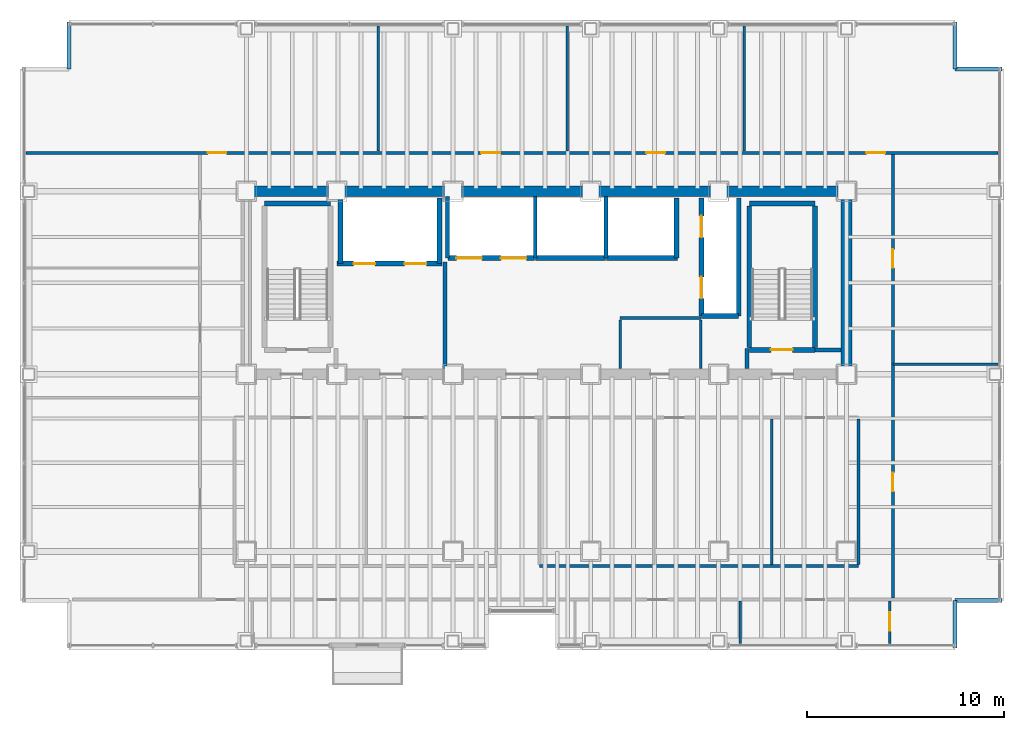
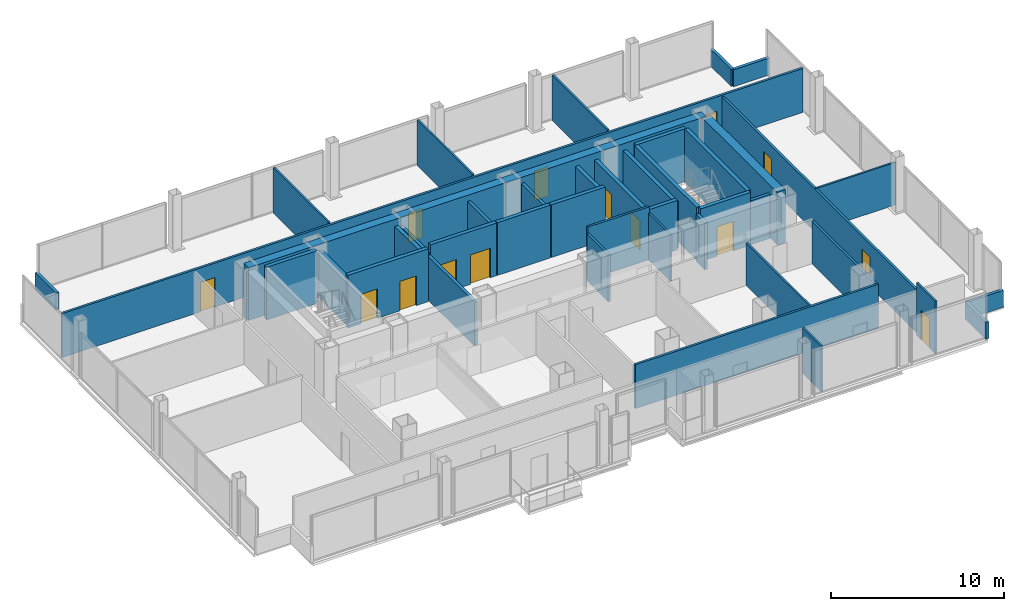
# One storey, part 19 of 21: 42 walls, 14 doors, 14 openings.
"""IFC4 building model written with IfcOpenShell, lengths in metres."""

import ifcopenshell
import ifcopenshell.guid

model = None  # the IFC model being written
_history = None  # IfcOwnerHistory: only IFC2X3 demands one
_inside = {}  # id of a spatial element -> (the spatial element, [elements in it])
_under = {}  # id of a project, library or spatial element -> (it, [spatial elements below it])
_declared = {}  # id of a project -> (the project, [libraries it declares])
_typed = {}  # id of a type object -> (the type object, [elements of that type])
_made_of = {}  # id of a material, layer set ... -> (it, [elements and type objects made of it])


def new_model(schema):
    """Start an empty IFC model of exactly this schema.

    Asked for "IFC4X3", IfcOpenShell would pick the latest addendum, in which some entities
    have other attributes; the version numbers below select the first issue.
    IFC2X3 requires an IfcOwnerHistory on every rooted entity: one is made here for all.
    """
    global model, _history
    if schema == "IFC4X3":
        model = ifcopenshell.file(schema_version=(4, 3, 0, 0))
    else:
        model = ifcopenshell.file(schema=schema)
    _inside.clear()
    _under.clear()
    _declared.clear()
    _typed.clear()
    _made_of.clear()
    _history = None
    if model.schema == "IFC2X3":
        org = make("IfcOrganization", Name="unknown")
        user = make(
            "IfcPersonAndOrganization",
            ThePerson=make("IfcPerson", FamilyName="unknown"),
            TheOrganization=org,
        )
        app = make(
            "IfcApplication",
            ApplicationDeveloper=org,
            Version="unknown",
            ApplicationFullName="unknown",
            ApplicationIdentifier="unknown",
        )
        _history = make(
            "IfcOwnerHistory",
            OwningUser=user,
            OwningApplication=app,
            ChangeAction="ADDED",
            CreationDate=0,
        )
    return model


def make(cls, **values):
    """One entity of the class cls with the attributes given. An attribute that is None is left unset."""
    return model.create_entity(
        cls, **{name: value for name, value in values.items() if value is not None}
    )


def rooted(cls, **values):
    """An entity with a GlobalId (a new one), such as an element, a storey or a relation."""
    return make(cls, GlobalId=ifcopenshell.guid.new(), OwnerHistory=_history, **values)


def si_unit(unit_type, name, prefix=None):
    """IfcSIUnit, for example si_unit("LENGTHUNIT", "METRE", prefix="MILLI")."""
    return make("IfcSIUnit", UnitType=unit_type, Prefix=prefix, Name=name)


def assignment(units):
    """IfcUnitAssignment: the units of a project."""
    return None if units is None else make("IfcUnitAssignment", Units=units)


def point(xyz):
    """IfcCartesianPoint."""
    return None if xyz is None else make("IfcCartesianPoint", Coordinates=xyz)


def direction(xyz):
    """IfcDirection."""
    return None if xyz is None else make("IfcDirection", DirectionRatios=xyz)


def frame(location, z_axis=None, x_axis=None):
    """IfcAxis2Placement3D, a coordinate frame: its origin and axes. An axis left out is left unset."""
    return make(
        "IfcAxis2Placement3D",
        Location=point(location),
        Axis=direction(z_axis),
        RefDirection=direction(x_axis),
    )


def frame_2d(location, x_axis=None):
    """IfcAxis2Placement2D, a coordinate frame in the plane: its origin and x axis."""
    return make(
        "IfcAxis2Placement2D", Location=point(location), RefDirection=direction(x_axis)
    )


def origin():
    """The frame at (0, 0, 0) with its axes left unset."""
    return frame((0.0, 0.0, 0.0))


def place(relative_to, where):
    """IfcLocalPlacement: puts the frame where relative to a parent placement (None: the world)."""
    return make(
        "IfcLocalPlacement", PlacementRelTo=relative_to, RelativePlacement=where
    )


def context(
    kind, dimensions, precision=None, world=None, true_north=None, identifier=None
):
    """IfcGeometricRepresentationContext, for example the 3D "Model" context."""
    return make(
        "IfcGeometricRepresentationContext",
        ContextIdentifier=identifier,
        ContextType=kind,
        CoordinateSpaceDimension=dimensions,
        Precision=precision,
        WorldCoordinateSystem=world,
        TrueNorth=true_north,
    )


def subcontext(parent, identifier, kind, view, scale=None):
    """IfcGeometricRepresentationSubContext, for example "Body" below "Model"."""
    return make(
        "IfcGeometricRepresentationSubContext",
        ContextIdentifier=identifier,
        ContextType=kind,
        ParentContext=parent,
        TargetScale=scale,
        TargetView=view,
    )


def project(units=None, contexts=None):
    """IfcProject with its units and contexts."""
    return rooted(
        "IfcProject",
        Name="project",
        RepresentationContexts=contexts,
        UnitsInContext=assignment(units),
    )


def spatial(cls, under=None, at=None, **own):
    """A site, building, storey or space (cls), placed at a placement, below another one or the project."""
    s = rooted(cls, ObjectPlacement=at, **own)
    if under is not None:
        _under.setdefault(under.id(), (under, []))[1].append(s)
    return s


def profile(cls, at=None, kind="AREA", **sizes):
    """A parametric profile (cls). Its sizes go by their IFC names, for example OverallWidth=200.0."""
    return make(cls, ProfileType=kind, Position=at, **sizes)


def rectangle(**sizes):
    """IfcRectangleProfileDef."""
    return profile("IfcRectangleProfileDef", **sizes)


def extrude(swept, where, along, depth):
    """IfcExtrudedAreaSolid: the profile swept, set in the frame where, extruded along a direction by depth."""
    return make(
        "IfcExtrudedAreaSolid",
        SweptArea=swept,
        Position=where,
        ExtrudedDirection=direction(along),
        Depth=depth,
    )


def shape(context_of_items, identifier, shape_type, items):
    """IfcShapeRepresentation: the items that make up one representation, for example the "Body"."""
    return make(
        "IfcShapeRepresentation",
        ContextOfItems=context_of_items,
        RepresentationIdentifier=identifier,
        RepresentationType=shape_type,
        Items=items,
    )


def material(Name=None, Category=None):
    """IfcMaterial."""
    return make("IfcMaterial", Name=Name, Category=Category)


def layer(
    of_material, thickness, ventilated=None, Name=None, Category=None, Priority=None
):
    """IfcMaterialLayer: one layer of a wall or slab, of a material (None: an air gap)."""
    return make(
        "IfcMaterialLayer",
        Material=of_material,
        LayerThickness=thickness,
        IsVentilated=ventilated,
        Name=Name,
        Category=Category,
        Priority=Priority,
    )


def layer_set(layers, Name=None):
    """IfcMaterialLayerSet."""
    return make("IfcMaterialLayerSet", MaterialLayers=layers, LayerSetName=Name)


def made_of(thing, what):
    """Note that an element or type object is made of a material, layer set ...; save() writes the relation."""
    if what is not None:
        _made_of.setdefault(what.id(), (what, []))[1].append(thing)
    return thing


def type_object(cls, material=None, **own):
    """A type object (cls), such as IfcWallType, which elements share."""
    return made_of(rooted(cls, **own), material)


def element(
    cls,
    number,
    at=None,
    inside=None,
    cuts=None,
    type_object=None,
    material=None,
    context=None,
    identifier="Body",
    shape_type=None,
    held_by="IfcProductDefinitionShape",
    body=None,
    shapes=None,
    **own,
):
    """One element of the class cls, such as IfcWall. Its Tag is "e" and its number.

    at: its placement. inside: the storey or other place that contains it. cuts: it is an
    opening in that element (IfcRelVoidsElement). A single representation is given by context,
    identifier, shape_type and body (its items); several are given by shapes. held_by: the class
    of the entity that holds the representations. save() writes the other relations.
    """
    e = rooted(cls, Tag="e%d" % number, ObjectPlacement=at, **own)
    if body is not None:
        shapes = [shape(context, identifier, shape_type, body)]
    if shapes is not None:
        e.Representation = make(held_by, Representations=shapes)
    if inside is not None:
        _inside.setdefault(inside.id(), (inside, []))[1].append(e)
    if cuts is not None:
        rooted(
            "IfcRelVoidsElement", RelatingBuildingElement=cuts, RelatedOpeningElement=e
        )
    if type_object is not None:
        _typed.setdefault(type_object.id(), (type_object, []))[1].append(e)
    return made_of(e, material)


def fill(opening, filler):
    """IfcRelFillsElement: the door or window that sits in an opening."""
    return rooted(
        "IfcRelFillsElement",
        RelatingOpeningElement=opening,
        RelatedBuildingElement=filler,
    )


def aggregate(whole, parts):
    """IfcRelAggregates: a whole, such as a stair, and the parts it consists of."""
    return rooted("IfcRelAggregates", RelatingObject=whole, RelatedObjects=parts)


def save(model, path):
    """Write the relations noted so far, then the file.

    IfcRelAggregates (storeys below a building ...), IfcRelContainedInSpatialStructure (elements
    in a storey), IfcRelDefinesByType, IfcRelAssociatesMaterial and IfcRelDeclares: one each for
    every whole, place, type object, material and project.
    """
    for whole, parts in _under.values():
        aggregate(whole, parts)
    for where, things in _inside.values():
        rooted(
            "IfcRelContainedInSpatialStructure",
            RelatedElements=things,
            RelatingStructure=where,
        )
    for kind, things in _typed.values():
        rooted("IfcRelDefinesByType", RelatedObjects=things, RelatingType=kind)
    for what, things in _made_of.values():
        rooted("IfcRelAssociatesMaterial", RelatedObjects=things, RelatingMaterial=what)
    for by, libraries in _declared.values():
        rooted("IfcRelDeclares", RelatingContext=by, RelatedDefinitions=libraries)
    model.write(path)


model = new_model("IFC4")

# Units and contexts
model_context = context("Model", 3, precision=1e-05, world=origin(), true_north=direction((0.0, 1.0)))
body_context = subcontext(model_context, "Body", "Model", "MODEL_VIEW")
ifc_project = project(units=[si_unit("LENGTHUNIT", "METRE"), si_unit("AREAUNIT", "SQUARE_METRE"), si_unit("VOLUMEUNIT", "CUBIC_METRE"), si_unit("PLANEANGLEUNIT", "RADIAN"), si_unit("MASSUNIT", "GRAM", prefix="KILO")], contexts=[model_context])

# Site, building, storey
site_placement = place(None, origin())
site = spatial("IfcSite", under=ifc_project, at=site_placement, CompositionType="ELEMENT")
building_placement = place(site_placement, origin())
building = spatial("IfcBuilding", under=site, at=building_placement, Name="Noeulbin Bourse Tower", CompositionType="ELEMENT")
storey_placement = place(building_placement, frame((0.0, 0.0, 42.10009765625)))
storey = spatial("IfcBuildingStorey", under=building, at=storey_placement, Name="L10", CompositionType="ELEMENT", Elevation=42.10009765625)

# Walls
ifc_material_1 = material(Name="Concrete C60/75", Category="concrete")
ifc_layer_1 = layer(ifc_material_1, 0.550048828125)
ifc_layer_set_1 = layer_set([ifc_layer_1], Name="Concrete C60/75")
wall_type_1 = type_object("IfcWallType", Name="WAL-CORE-550", PredefinedType="SHEAR", material=ifc_layer_set_1)
wall_1_placement = place(storey_placement, frame((13.5, 38.300048828125, 0.0), z_axis=(0.0, 0.0, 1.0), x_axis=(1.0, 0.0, 0.0)))
element("IfcWall", 1, at=wall_1_placement, inside=storey, type_object=wall_type_1, Name="Rear Core North Shear Wall L10", PredefinedType="SHEAR", context=body_context, shape_type="SweptSolid", body=[
    extrude(rectangle(XDim=30.5, YDim=0.550048828125, at=frame_2d((15.25, 0.0))), origin(), (0.0, 0.0, 1.0), 3.719970703125),
])
wall_2_placement = place(storey_placement, frame((44.0, 29.35009765625, 0.0), z_axis=(0.0, 0.0, 1.0), x_axis=(0.0, 1.0, 0.0)))
element("IfcWall", 2, at=wall_2_placement, inside=storey, type_object=wall_type_1, Name="Rear Core East Shear Wall L10", PredefinedType="SHEAR", context=body_context, shape_type="SweptSolid", body=[
    extrude(rectangle(XDim=8.599853515625, YDim=0.550048828125, at=frame_2d((4.2998046875, 0.0))), origin(), (0.0, 0.0, 1.0), 3.719970703125),
])
ifc_material_2 = material(Name="Concrete C40/50", Category="concrete")
ifc_layer_2 = layer(ifc_material_2, 0.199951171875)
ifc_layer_set_2 = layer_set([ifc_layer_2], Name="Concrete C40/50")
wall_type_2 = type_object("IfcWallType", Name="WAL-FIRE-200", PredefinedType="STANDARD", material=ifc_layer_set_2)
wall_3_placement = place(storey_placement, frame((42.39990234375, 30.239990234375, 0.0), z_axis=(0.0, 0.0, 1.0), x_axis=(1.0, 0.0, 0.0)))
element("IfcWall", 3, at=wall_3_placement, inside=storey, type_object=wall_type_2, Name="Interior Partition Wall L10-01", PredefinedType="STANDARD", context=body_context, shape_type="SweptSolid", body=[
    extrude(rectangle(XDim=1.315185546875, YDim=0.199951171875, at=frame_2d((0.65771484375, 0.0))), origin(), (0.0, 0.0, 1.0), 3.099853515625),
])
wall_4_placement = place(storey_placement, frame((38.949951171875, 29.284912109375, 0.0), z_axis=(0.0, 0.0, 1.0), x_axis=(0.0, 1.0, 0.0)))
element("IfcWall", 4, at=wall_4_placement, inside=storey, type_object=wall_type_2, Name="Interior Partition Wall L10-12", PredefinedType="STANDARD", context=body_context, shape_type="SweptSolid", body=[
    extrude(rectangle(XDim=1.01513671875, YDim=0.199951171875, at=frame_2d((0.507568359375, 0.0))), origin(), (0.0, 0.0, 1.0), 3.2998046875),
])
wall_5_placement = place(storey_placement, frame((23.60009765625, 29.284912109375, 0.0), z_axis=(0.0, 0.0, 1.0), x_axis=(0.0, 1.0, 0.0)))
element("IfcWall", 5, at=wall_5_placement, inside=storey, type_object=wall_type_2, Name="Interior Partition Wall L10-13", PredefinedType="STANDARD", context=body_context, shape_type="SweptSolid", body=[
    extrude(rectangle(XDim=5.4150390625, YDim=0.199951171875, at=frame_2d((2.70751953125, 0.0))), origin(), (0.0, 0.0, 1.0), 3.099853515625),
])
ifc_layer_3 = layer(ifc_material_2, 0.199951171875)
ifc_layer_set_3 = layer_set([ifc_layer_3], Name="Concrete C40/50")
wall_type_3 = type_object("IfcWallType", Name="WAL-PAR-200", PredefinedType="PARAPET", material=ifc_layer_set_3)
for number, where, z_axis, x_axis, name in (
    (6, (49.5, 15.10009765625, 0.0), (0.0, 0.0, 1.0), (0.0, 1.0, 0.0), "Corner Notch Parapet L10-SE1"),
    (7, (49.5, 17.5, 0.0), (0.0, 0.0, 1.0), (1.0, 0.0, 0.0), "Corner Notch Parapet L10-SE2"),
    (8, (4.5, 44.5, 0.0), (0.0, 0.0, 1.0), (0.0, 1.0, 0.0), "Corner Notch Parapet L10-NW2"),
    (9, (49.5, 46.89990234375, 0.0), (0.0, 0.0, 1.0), (0.0, -1.0, 0.0), "Corner Notch Parapet L10-NE1"),
    (10, (49.5, 44.5, 0.0), (0.0, 0.0, 1.0), (1.0, 0.0, 0.0), "Corner Notch Parapet L10-NE2"),
):
    element("IfcWall", number, at=place(storey_placement, frame(where, z_axis=z_axis, x_axis=x_axis)), inside=storey, type_object=wall_type_3, Name=name, PredefinedType="PARAPET", context=body_context, shape_type="SweptSolid", body=[
        extrude(rectangle(XDim=2.39990234375, YDim=0.199951171875, at=frame_2d((1.199951171875, 0.0))), origin(), (0.0, 0.0, 1.0), 1.199951171875),
    ])
ifc_material_3 = material(Name="Steel Stud Gypsum Partition", Category="steel")
ifc_layer_4 = layer(ifc_material_3, 0.1201171875)
ifc_layer_set_4 = layer_set([ifc_layer_4], Name="Steel Stud Gypsum Partition")
wall_type_4 = type_object("IfcWallType", Name="WAL-PRT-120", PredefinedType="PARTITIONING", material=ifc_layer_set_4)
wall_6_placement = place(storey_placement, frame((46.35009765625, 29.5, 0.0), z_axis=(0.0, 0.0, 1.0), x_axis=(1.0, 0.0, 0.0)))
element("IfcWall", 11, at=wall_6_placement, inside=storey, type_object=wall_type_4, Name="Interior Partition Wall L10-09", PredefinedType="PARTITIONING", context=body_context, shape_type="SweptSolid", body=[
    extrude(rectangle(XDim=5.33984375, YDim=0.1201171875, at=frame_2d((2.669921875, 0.0))), origin(), (0.0, 0.0, 1.0), 3.0),
])
wall_7_placement = place(storey_placement, frame((36.60009765625, 29.284912109375, 0.0), z_axis=(0.0, 0.0, 1.0), x_axis=(0.0, 1.0, 0.0)))
element("IfcWall", 12, at=wall_7_placement, inside=storey, type_object=wall_type_4, Name="Interior Partition Wall L10-15", PredefinedType="PARTITIONING", context=body_context, shape_type="SweptSolid", body=[
    extrude(rectangle(XDim=2.47998046875, YDim=0.1201171875, at=frame_2d((1.239990234375, 0.0))), origin(), (0.0, 0.0, 1.0), 3.2998046875),
])
wall_8_placement = place(storey_placement, frame((38.60009765625, 15.31005859375, 0.0), z_axis=(0.0, 0.0, 1.0), x_axis=(0.0, 1.0, 0.0)))
element("IfcWall", 13, at=wall_8_placement, inside=storey, type_object=wall_type_4, Name="Interior Partition Wall L10-24", PredefinedType="PARTITIONING", context=body_context, shape_type="SweptSolid", body=[
    extrude(rectangle(XDim=2.155029296875, YDim=0.1201171875, at=frame_2d((1.07763671875, 0.0))), origin(), (0.0, 0.0, 1.0), 3.2119140625),
])

# Wall, opening, door
wall_9_placement = place(storey_placement, frame((46.199951171875, 15.31005859375, 0.0), z_axis=(0.0, 0.0, 1.0), x_axis=(0.0, 1.0, 0.0)))
wall_9 = element("IfcWall", 14, at=wall_9_placement, inside=storey, type_object=wall_type_4, Name="Interior Partition Wall L10-25", PredefinedType="PARTITIONING", context=body_context, shape_type="SweptSolid", body=[
    extrude(rectangle(XDim=2.155029296875, YDim=0.1201171875, at=frame_2d((1.07763671875, 0.0))), origin(), (0.0, 0.0, 1.0), 3.719970703125),
])
opening_1_placement = place(wall_9_placement, frame((0.64501953125, 0.0, 0.0)))
opening_1 = element("IfcOpeningElement", 15, at=opening_1_placement, cuts=wall_9, Name="Opening ID-09", PredefinedType="OPENING", context=body_context, shape_type="SweptSolid", body=[
    extrude(rectangle(XDim=0.949951171875, YDim=2.080078125, at=frame_2d((0.47509765625, 1.0400390625))), frame((0.0, 0.070068359375, 0.0), z_axis=(0.0, -1.0, 0.0), x_axis=(1.0, 0.0, 0.0)), (0.0, 0.0, 1.0), 0.14013671875),
])
ifc_material_4 = material(Name="Acoustic Solid-Core Timber", Category="wood")
door_type_1 = type_object("IfcDoorType", Name="DR-SINGLE-950", OperationType="SINGLE_SWING_LEFT", PredefinedType="DOOR", material=ifc_material_4)
door_1_placement = place(opening_1_placement, origin())
door_1 = element("IfcDoor", 16, at=door_1_placement, inside=storey, type_object=door_type_1, Name="Interior Door L10-11", OperationType="SINGLE_SWING_LEFT", OverallHeight=2.080078125, OverallWidth=0.949951171875, PredefinedType="DOOR", context=body_context, shape_type="SweptSolid", body=[
    extrude(rectangle(XDim=0.949951171875, YDim=2.080078125, at=frame_2d((0.47509765625, 1.0400390625))), frame((0.0, 0.02490234375, 0.0), z_axis=(0.0, -1.0, 0.0), x_axis=(1.0, 0.0, 0.0)), (0.0, 0.0, 1.0), 0.050048828125),
])
fill(opening_1, door_1)

# Walls
wall_10_placement = place(storey_placement, frame((40.199951171875, 19.3349609375, 0.0), z_axis=(0.0, 0.0, 1.0), x_axis=(0.0, 1.0, 0.0)))
element("IfcWall", 17, at=wall_10_placement, inside=storey, type_object=wall_type_4, Name="Interior Partition Wall L10-28", PredefinedType="PARTITIONING", context=body_context, shape_type="SweptSolid", body=[
    extrude(rectangle(XDim=7.380126953125, YDim=0.1201171875, at=frame_2d((3.68994140625, 0.0))), origin(), (0.0, 0.0, 1.0), 3.0),
])
for number, where, z_axis, x_axis, name in (
    (18, (20.199951171875, 40.3349609375, 0.0), (0.0, 0.0, 1.0), (0.0, 1.0, 0.0), "Interior Partition Wall L10-29"),
    (19, (29.800048828125, 40.3349609375, 0.0), (0.0, 0.0, 1.0), (0.0, 1.0, 0.0), "Interior Partition Wall L10-30"),
    (20, (38.800048828125, 40.3349609375, 0.0), (0.0, 0.0, 1.0), (0.0, 1.0, 0.0), "Interior Partition Wall L10-31"),
):
    element("IfcWall", number, at=place(storey_placement, frame(where, z_axis=z_axis, x_axis=x_axis)), inside=storey, type_object=wall_type_4, Name=name, PredefinedType="PARTITIONING", context=body_context, shape_type="SweptSolid", body=[
        extrude(rectangle(XDim=6.35498046875, YDim=0.1201171875, at=frame_2d((3.177490234375, 0.0))), origin(), (0.0, 0.0, 1.0), 3.2119140625),
    ])
ifc_material_5 = material(Name="Steel Stud Acoustic Gypsum Board", Category="steel")
ifc_layer_5 = layer(ifc_material_5, 0.14990234375)
ifc_layer_set_5 = layer_set([ifc_layer_5], Name="Steel Stud Acoustic Gypsum Board")
wall_type_5 = type_object("IfcWallType", Name="WAL-PRT-150", PredefinedType="PARTITIONING", material=ifc_layer_set_5)
wall_11_placement = place(storey_placement, frame((32.5, 31.85009765625, 0.0), z_axis=(0.0, 0.0, 1.0), x_axis=(1.0, 0.0, 0.0)))
element("IfcWall", 21, at=wall_11_placement, inside=storey, type_object=wall_type_5, Name="Interior Partition Wall L10-02", PredefinedType="PARTITIONING", context=body_context, shape_type="SweptSolid", body=[
    extrude(rectangle(XDim=4.10009765625, YDim=0.14990234375, at=frame_2d((2.050048828125, 0.0))), origin(), (0.0, 0.0, 1.0), 3.719970703125),
])
wall_12_placement = place(storey_placement, frame((28.39990234375, 19.25, 0.0), z_axis=(0.0, 0.0, 1.0), x_axis=(1.0, 0.0, 0.0)))
element("IfcWall", 22, at=wall_12_placement, inside=storey, type_object=wall_type_5, Name="Interior Partition Wall L10-06", PredefinedType="PARTITIONING", context=body_context, shape_type="SweptSolid", body=[
    extrude(rectangle(XDim=16.2001953125, YDim=0.14990234375, at=frame_2d((8.10009765625, 0.0))), origin(), (0.0, 0.0, 1.0), 3.099853515625),
])

# Wall, openings, doors
wall_13_placement = place(storey_placement, frame((2.31005859375, 40.25, 0.0), z_axis=(0.0, 0.0, 1.0), x_axis=(1.0, 0.0, 0.0)))
wall_13 = element("IfcWall", 23, at=wall_13_placement, inside=storey, type_object=wall_type_5, Name="Interior Partition Wall L10-10", PredefinedType="PARTITIONING", context=body_context, shape_type="SweptSolid", body=[
    extrude(rectangle(XDim=49.3798828125, YDim=0.14990234375, at=frame_2d((24.68994140625, 0.0))), origin(), (0.0, 0.0, 1.0), 3.099853515625),
])
opening_2_placement = place(wall_13_placement, frame((9.22998046875, 0.0, 0.0)))
opening_2 = element("IfcOpeningElement", 24, at=opening_2_placement, cuts=wall_13, Name="Opening ID-09", PredefinedType="OPENING", context=body_context, shape_type="SweptSolid", body=[
    extrude(rectangle(XDim=0.949951171875, YDim=2.080078125, at=frame_2d((0.47509765625, 1.0400390625))), frame((0.0, 0.0849609375, 0.0), z_axis=(0.0, -1.0, 0.0), x_axis=(1.0, 0.0, 0.0)), (0.0, 0.0, 1.0), 0.169921875),
])
opening_3_placement = place(wall_13_placement, frame((23.114990234375, 0.0, 0.0)))
opening_3 = element("IfcOpeningElement", 25, at=opening_3_placement, cuts=wall_13, Name="Opening ID-09", PredefinedType="OPENING", context=body_context, shape_type="SweptSolid", body=[
    extrude(rectangle(XDim=0.949951171875, YDim=2.080078125, at=frame_2d((0.47509765625, 1.0400390625))), frame((0.0, 0.0849609375, 0.0), z_axis=(0.0, -1.0, 0.0), x_axis=(1.0, 0.0, 0.0)), (0.0, 0.0, 1.0), 0.169921875),
])
opening_4_placement = place(wall_13_placement, frame((31.514892578125, 0.0, 0.0)))
opening_4 = element("IfcOpeningElement", 26, at=opening_4_placement, cuts=wall_13, Name="Opening ID-09", PredefinedType="OPENING", context=body_context, shape_type="SweptSolid", body=[
    extrude(rectangle(XDim=0.949951171875, YDim=2.080078125, at=frame_2d((0.47509765625, 1.0400390625))), frame((0.0, 0.0849609375, 0.0), z_axis=(0.0, -1.0, 0.0), x_axis=(1.0, 0.0, 0.0)), (0.0, 0.0, 1.0), 0.169921875),
])
opening_5_placement = place(wall_13_placement, frame((42.699951171875, 0.0, 0.0)))
opening_5 = element("IfcOpeningElement", 27, at=opening_5_placement, cuts=wall_13, Name="Opening ID-09", PredefinedType="OPENING", context=body_context, shape_type="SweptSolid", body=[
    extrude(rectangle(XDim=0.949951171875, YDim=2.080078125, at=frame_2d((0.47509765625, 1.0400390625))), frame((0.0, 0.0849609375, 0.0), z_axis=(0.0, -1.0, 0.0), x_axis=(1.0, 0.0, 0.0)), (0.0, 0.0, 1.0), 0.169921875),
])
door_2_placement = place(opening_2_placement, origin())
door_2 = element("IfcDoor", 28, at=door_2_placement, inside=storey, type_object=door_type_1, Name="Interior Door L10-22", OperationType="SINGLE_SWING_RIGHT", OverallHeight=2.080078125, OverallWidth=0.949951171875, PredefinedType="DOOR", context=body_context, shape_type="SweptSolid", body=[
    extrude(rectangle(XDim=0.949951171875, YDim=2.080078125, at=frame_2d((0.47509765625, 1.0400390625))), frame((0.0, 0.02490234375, 0.0), z_axis=(0.0, -1.0, 0.0), x_axis=(1.0, 0.0, 0.0)), (0.0, 0.0, 1.0), 0.050048828125),
])
fill(opening_2, door_2)
door_3_placement = place(opening_3_placement, origin())
door_3 = element("IfcDoor", 29, at=door_3_placement, inside=storey, type_object=door_type_1, Name="Interior Door L10-23", OperationType="SINGLE_SWING_LEFT", OverallHeight=2.080078125, OverallWidth=0.949951171875, PredefinedType="DOOR", context=body_context, shape_type="SweptSolid", body=[
    extrude(rectangle(XDim=0.949951171875, YDim=2.080078125, at=frame_2d((0.47509765625, 1.0400390625))), frame((0.0, 0.02490234375, 0.0), z_axis=(0.0, -1.0, 0.0), x_axis=(1.0, 0.0, 0.0)), (0.0, 0.0, 1.0), 0.050048828125),
])
fill(opening_3, door_3)
door_4_placement = place(opening_4_placement, origin())
door_4 = element("IfcDoor", 30, at=door_4_placement, inside=storey, type_object=door_type_1, Name="Interior Door L10-24", OperationType="SINGLE_SWING_RIGHT", OverallHeight=2.080078125, OverallWidth=0.949951171875, PredefinedType="DOOR", context=body_context, shape_type="SweptSolid", body=[
    extrude(rectangle(XDim=0.949951171875, YDim=2.080078125, at=frame_2d((0.47509765625, 1.0400390625))), frame((0.0, 0.02490234375, 0.0), z_axis=(0.0, -1.0, 0.0), x_axis=(1.0, 0.0, 0.0)), (0.0, 0.0, 1.0), 0.050048828125),
])
fill(opening_4, door_4)
door_5_placement = place(opening_5_placement, origin())
door_5 = element("IfcDoor", 31, at=door_5_placement, inside=storey, type_object=door_type_1, Name="Interior Door L10-25", OperationType="SINGLE_SWING_LEFT", OverallHeight=2.080078125, OverallWidth=0.949951171875, PredefinedType="DOOR", context=body_context, shape_type="SweptSolid", body=[
    extrude(rectangle(XDim=0.949951171875, YDim=2.080078125, at=frame_2d((0.47509765625, 1.0400390625))), frame((0.0, 0.02490234375, 0.0), z_axis=(0.0, -1.0, 0.0), x_axis=(1.0, 0.0, 0.0)), (0.0, 0.0, 1.0), 0.050048828125),
])
fill(opening_5, door_5)

# Wall
wall_14_placement = place(storey_placement, frame((32.5, 29.284912109375, 0.0), z_axis=(0.0, 0.0, 1.0), x_axis=(0.0, 1.0, 0.0)))
element("IfcWall", 32, at=wall_14_placement, inside=storey, type_object=wall_type_5, Name="Interior Partition Wall L10-14", PredefinedType="PARTITIONING", context=body_context, shape_type="SweptSolid", body=[
    extrude(rectangle(XDim=2.47998046875, YDim=0.14990234375, at=frame_2d((1.239990234375, 0.0))), origin(), (0.0, 0.0, 1.0), 3.2998046875),
])

# Wall, openings, doors
wall_15_placement = place(storey_placement, frame((46.35009765625, 17.635009765625, 0.0), z_axis=(0.0, 0.0, 1.0), x_axis=(0.0, 1.0, 0.0)))
wall_15 = element("IfcWall", 33, at=wall_15_placement, inside=storey, type_object=wall_type_5, Name="Interior Partition Wall L10-20", PredefinedType="PARTITIONING", context=body_context, shape_type="SweptSolid", body=[
    extrude(rectangle(XDim=22.530029296875, YDim=0.14990234375, at=frame_2d((11.26513671875, 0.0))), origin(), (0.0, 0.0, 1.0), 3.0),
])
opening_6_placement = place(wall_15_placement, frame((5.4150390625, 0.0, 0.0)))
opening_6 = element("IfcOpeningElement", 34, at=opening_6_placement, cuts=wall_15, Name="Opening ID-09", PredefinedType="OPENING", context=body_context, shape_type="SweptSolid", body=[
    extrude(rectangle(XDim=0.949951171875, YDim=2.080078125, at=frame_2d((0.47509765625, 1.0400390625))), frame((0.0, 0.0849609375, 0.0), z_axis=(0.0, -1.0, 0.0), x_axis=(1.0, 0.0, 0.0)), (0.0, 0.0, 1.0), 0.169921875),
])
opening_7_placement = place(wall_15_placement, frame((16.764892578125, 0.0, 0.0)))
opening_7 = element("IfcOpeningElement", 35, at=opening_7_placement, cuts=wall_15, Name="Opening ID-09", PredefinedType="OPENING", context=body_context, shape_type="SweptSolid", body=[
    extrude(rectangle(XDim=0.949951171875, YDim=2.080078125, at=frame_2d((0.47509765625, 1.0400390625))), frame((0.0, 0.0849609375, 0.0), z_axis=(0.0, -1.0, 0.0), x_axis=(1.0, 0.0, 0.0)), (0.0, 0.0, 1.0), 0.169921875),
])
door_6_placement = place(opening_6_placement, origin())
door_6 = element("IfcDoor", 36, at=door_6_placement, inside=storey, type_object=door_type_1, Name="Interior Door L10-20", OperationType="SINGLE_SWING_RIGHT", OverallHeight=2.080078125, OverallWidth=0.949951171875, PredefinedType="DOOR", context=body_context, shape_type="SweptSolid", body=[
    extrude(rectangle(XDim=0.949951171875, YDim=2.080078125, at=frame_2d((0.47509765625, 1.0400390625))), frame((0.0, 0.02490234375, 0.0), z_axis=(0.0, -1.0, 0.0), x_axis=(1.0, 0.0, 0.0)), (0.0, 0.0, 1.0), 0.050048828125),
])
fill(opening_6, door_6)
door_7_placement = place(opening_7_placement, origin())
door_7 = element("IfcDoor", 37, at=door_7_placement, inside=storey, type_object=door_type_1, Name="Interior Door L10-21", OperationType="SINGLE_SWING_LEFT", OverallHeight=2.080078125, OverallWidth=0.949951171875, PredefinedType="DOOR", context=body_context, shape_type="SweptSolid", body=[
    extrude(rectangle(XDim=0.949951171875, YDim=2.080078125, at=frame_2d((0.47509765625, 1.0400390625))), frame((0.0, 0.02490234375, 0.0), z_axis=(0.0, -1.0, 0.0), x_axis=(1.0, 0.0, 0.0)), (0.0, 0.0, 1.0), 0.050048828125),
])
fill(opening_7, door_7)

# Walls
wall_16_placement = place(storey_placement, frame((44.60009765625, 19.3349609375, 0.0), z_axis=(0.0, 0.0, 1.0), x_axis=(0.0, 1.0, 0.0)))
element("IfcWall", 38, at=wall_16_placement, inside=storey, type_object=wall_type_5, Name="Interior Partition Wall L10-21", PredefinedType="PARTITIONING", context=body_context, shape_type="SweptSolid", body=[
    extrude(rectangle(XDim=7.380126953125, YDim=0.14990234375, at=frame_2d((3.68994140625, 0.0))), origin(), (0.0, 0.0, 1.0), 3.0),
])
ifc_layer_6 = layer(ifc_material_2, 0.25)
ifc_layer_set_6 = layer_set([ifc_layer_6], Name="Concrete C40/50")
wall_type_6 = type_object("IfcWallType", Name="WAL-SHFT-250", PredefinedType="STANDARD", material=ifc_layer_set_6)
wall_17_placement = place(storey_placement, frame((14.429931640625, 37.6689453125, 0.0), z_axis=(0.0, 0.0, 1.0), x_axis=(1.0, 0.0, 0.0)))
element("IfcWall", 39, at=wall_17_placement, inside=storey, type_object=wall_type_6, Name="Stair ST-1 North Shaft Wall L10", PredefinedType="STANDARD", context=body_context, shape_type="SweptSolid", body=[
    extrude(rectangle(XDim=3.340087890625, YDim=0.25, at=frame_2d((1.669921875, 0.0))), origin(), (0.0, 0.0, 1.0), 3.719970703125),
])

# Wall, opening, door
wall_18_placement = place(storey_placement, frame((39.06005859375, 30.235107421875, 0.0), z_axis=(0.0, 0.0, 1.0), x_axis=(1.0, 0.0, 0.0)))
wall_18 = element("IfcWall", 40, at=wall_18_placement, inside=storey, type_object=wall_type_6, Name="Stair ST-2 South Shaft Wall L10", PredefinedType="STANDARD", context=body_context, shape_type="SweptSolid", body=[
    extrude(rectangle(XDim=3.33984375, YDim=0.25, at=frame_2d((1.669921875, 0.0))), origin(), (0.0, 0.0, 1.0), 3.719970703125),
])
opening_8_placement = place(wall_18_placement, frame((1.10009765625, 0.0, 0.0)))
opening_8 = element("IfcOpeningElement", 41, at=opening_8_placement, cuts=wall_18, Name="Opening FD-11", PredefinedType="OPENING", context=body_context, shape_type="SweptSolid", body=[
    extrude(rectangle(XDim=1.10009765625, YDim=2.080078125, at=frame_2d((0.550048828125, 1.0400390625))), frame((0.0, 0.135009765625, 0.0), z_axis=(0.0, -1.0, 0.0), x_axis=(1.0, 0.0, 0.0)), (0.0, 0.0, 1.0), 0.27001953125),
])
ifc_material_6 = material(Name="Fire-Rated Insulated Steel", Category="steel")
door_type_2 = type_object("IfcDoorType", Name="DR-FD60-1100", OperationType="SINGLE_SWING_LEFT", PredefinedType="DOOR", material=ifc_material_6)
door_8_placement = place(opening_8_placement, origin())
door_8 = element("IfcDoor", 42, at=door_8_placement, inside=storey, type_object=door_type_2, Name="Protected Stair Entry Door ST2-L10", OperationType="SINGLE_SWING_RIGHT", OverallHeight=2.080078125, OverallWidth=1.10009765625, PredefinedType="DOOR", context=body_context, shape_type="SweptSolid", body=[
    extrude(rectangle(XDim=1.10009765625, YDim=2.080078125, at=frame_2d((0.550048828125, 1.0400390625))), frame((0.0, 0.02490234375, 0.0), z_axis=(0.0, -1.0, 0.0), x_axis=(1.0, 0.0, 0.0)), (0.0, 0.0, 1.0), 0.050048828125),
])
fill(opening_8, door_8)

# Walls
wall_19_placement = place(storey_placement, frame((39.06005859375, 37.6689453125, 0.0), z_axis=(0.0, 0.0, 1.0), x_axis=(1.0, 0.0, 0.0)))
element("IfcWall", 43, at=wall_19_placement, inside=storey, type_object=wall_type_6, Name="Stair ST-2 North Shaft Wall L10", PredefinedType="STANDARD", context=body_context, shape_type="SweptSolid", body=[
    extrude(rectangle(XDim=3.33984375, YDim=0.25, at=frame_2d((1.669921875, 0.0))), origin(), (0.0, 0.0, 1.0), 3.719970703125),
])
for number, where, z_axis, x_axis, name in (
    (44, (39.054931640625, 30.360107421875, 0.0), (0.0, 0.0, 1.0), (0.0, 1.0, 0.0), "Stair ST-2 West Shaft Wall L10"),
    (45, (42.405029296875, 30.360107421875, 0.0), (0.0, 0.0, 1.0), (0.0, 1.0, 0.0), "Stair ST-2 East Shaft Wall L10"),
):
    element("IfcWall", number, at=place(storey_placement, frame(where, z_axis=z_axis, x_axis=x_axis)), inside=storey, type_object=wall_type_6, Name=name, PredefinedType="STANDARD", context=body_context, shape_type="SweptSolid", body=[
        extrude(rectangle(XDim=7.183837890625, YDim=0.25, at=frame_2d((3.591796875, 0.0))), origin(), (0.0, 0.0, 1.0), 3.719970703125),
    ])

# Wall, openings, doors
wall_20_placement = place(storey_placement, frame((18.10009765625, 34.6201171875, 0.0), z_axis=(0.0, 0.0, 1.0), x_axis=(1.0, 0.0, 0.0)))
wall_20 = element("IfcWall", 46, at=wall_20_placement, inside=storey, type_object=wall_type_6, Name="Firefighting Lift Shaft Front L10", PredefinedType="STANDARD", context=body_context, shape_type="SweptSolid", body=[
    extrude(rectangle(XDim=5.349853515625, YDim=0.25, at=frame_2d((2.6748046875, 0.0))), origin(), (0.0, 0.0, 1.0), 3.719970703125),
])
opening_9_placement = place(wall_20_placement, frame((0.85009765625, 0.0, 0.0)))
opening_9 = element("IfcOpeningElement", 47, at=opening_9_placement, cuts=wall_20, Name="Opening LD-11", PredefinedType="OPENING", context=body_context, shape_type="SweptSolid", body=[
    extrude(rectangle(XDim=1.10009765625, YDim=2.080078125, at=frame_2d((0.550048828125, 1.0400390625))), frame((0.0, 0.135009765625, 0.0), z_axis=(0.0, -1.0, 0.0), x_axis=(1.0, 0.0, 0.0)), (0.0, 0.0, 1.0), 0.27001953125),
])
opening_10_placement = place(wall_20_placement, frame((3.449951171875, 0.0, 0.0)))
opening_10 = element("IfcOpeningElement", 48, at=opening_10_placement, cuts=wall_20, Name="Opening LD-11", PredefinedType="OPENING", context=body_context, shape_type="SweptSolid", body=[
    extrude(rectangle(XDim=1.10009765625, YDim=2.080078125, at=frame_2d((0.550048828125, 1.0400390625))), frame((0.0, 0.135009765625, 0.0), z_axis=(0.0, -1.0, 0.0), x_axis=(1.0, 0.0, 0.0)), (0.0, 0.0, 1.0), 0.27001953125),
])
ifc_material_7 = material(Name="Brushed Stainless Steel 316", Category="steel")
door_type_3 = type_object("IfcDoorType", Name="DR-LIFT-1100", OperationType="SLIDING_TO_LEFT", PredefinedType="DOOR", material=ifc_material_7)
door_9_placement = place(opening_9_placement, origin())
door_9 = element("IfcDoor", 49, at=door_9_placement, inside=storey, type_object=door_type_3, Name="Lift Landing Door LD-FL-01-L10", OperationType="SLIDING_TO_LEFT", OverallHeight=2.080078125, OverallWidth=1.10009765625, PredefinedType="DOOR", context=body_context, shape_type="SweptSolid", body=[
    extrude(rectangle(XDim=1.10009765625, YDim=2.080078125, at=frame_2d((0.550048828125, 1.0400390625))), frame((0.0, 0.02490234375, 0.0), z_axis=(0.0, -1.0, 0.0), x_axis=(1.0, 0.0, 0.0)), (0.0, 0.0, 1.0), 0.050048828125),
])
fill(opening_9, door_9)
door_10_placement = place(opening_10_placement, origin())
door_10 = element("IfcDoor", 50, at=door_10_placement, inside=storey, type_object=door_type_3, Name="Lift Landing Door LD-FL-02-L10", OperationType="SLIDING_TO_LEFT", OverallHeight=2.080078125, OverallWidth=1.10009765625, PredefinedType="DOOR", context=body_context, shape_type="SweptSolid", body=[
    extrude(rectangle(XDim=1.10009765625, YDim=2.080078125, at=frame_2d((0.550048828125, 1.0400390625))), frame((0.0, 0.02490234375, 0.0), z_axis=(0.0, -1.0, 0.0), x_axis=(1.0, 0.0, 0.0)), (0.0, 0.0, 1.0), 0.050048828125),
])
fill(opening_10, door_10)

wall_21_placement = place(storey_placement, frame((36.6201171875, 31.949951171875, 0.0), z_axis=(0.0, 0.0, 1.0), x_axis=(0.0, 1.0, 0.0)))
wall_21 = element("IfcWall", 51, at=wall_21_placement, inside=storey, type_object=wall_type_6, Name="Service Lift Shaft Wall L10", PredefinedType="STANDARD", context=body_context, shape_type="SweptSolid", body=[
    extrude(rectangle(XDim=6.0, YDim=0.25, at=frame_2d((3.0, 0.0))), origin(), (0.0, 0.0, 1.0), 3.2998046875),
])
opening_11_placement = place(wall_21_placement, frame((0.89990234375, 0.0, 0.0)))
opening_11 = element("IfcOpeningElement", 52, at=opening_11_placement, cuts=wall_21, Name="Opening LD-11", PredefinedType="OPENING", context=body_context, shape_type="SweptSolid", body=[
    extrude(rectangle(XDim=1.10009765625, YDim=2.080078125, at=frame_2d((0.550048828125, 1.0400390625))), frame((0.0, 0.135009765625, 0.0), z_axis=(0.0, -1.0, 0.0), x_axis=(1.0, 0.0, 0.0)), (0.0, 0.0, 1.0), 0.27001953125),
])
opening_12_placement = place(wall_21_placement, frame((4.0, 0.0, 0.0)))
opening_12 = element("IfcOpeningElement", 53, at=opening_12_placement, cuts=wall_21, Name="Opening LD-11", PredefinedType="OPENING", context=body_context, shape_type="SweptSolid", body=[
    extrude(rectangle(XDim=1.10009765625, YDim=2.080078125, at=frame_2d((0.550048828125, 1.0400390625))), frame((0.0, 0.135009765625, 0.0), z_axis=(0.0, -1.0, 0.0), x_axis=(1.0, 0.0, 0.0)), (0.0, 0.0, 1.0), 0.27001953125),
])
door_11_placement = place(opening_11_placement, origin())
door_11 = element("IfcDoor", 54, at=door_11_placement, inside=storey, type_object=door_type_3, Name="Lift Landing Door LD-EL-01-L10", OperationType="SLIDING_TO_LEFT", OverallHeight=2.080078125, OverallWidth=1.10009765625, PredefinedType="DOOR", context=body_context, shape_type="SweptSolid", body=[
    extrude(rectangle(XDim=1.10009765625, YDim=2.080078125, at=frame_2d((0.550048828125, 1.0400390625))), frame((0.0, 0.02490234375, 0.0), z_axis=(0.0, -1.0, 0.0), x_axis=(1.0, 0.0, 0.0)), (0.0, 0.0, 1.0), 0.050048828125),
])
fill(opening_11, door_11)
door_12_placement = place(opening_12_placement, origin())
door_12 = element("IfcDoor", 55, at=door_12_placement, inside=storey, type_object=door_type_3, Name="Lift Landing Door LD-SV-01-L10", OperationType="SLIDING_TO_LEFT", OverallHeight=2.080078125, OverallWidth=1.10009765625, PredefinedType="DOOR", context=body_context, shape_type="SweptSolid", body=[
    extrude(rectangle(XDim=1.10009765625, YDim=2.080078125, at=frame_2d((0.550048828125, 1.0400390625))), frame((0.0, 0.02490234375, 0.0), z_axis=(0.0, -1.0, 0.0), x_axis=(1.0, 0.0, 0.0)), (0.0, 0.0, 1.0), 0.050048828125),
])
fill(opening_12, door_12)

# Walls
wall_22_placement = place(storey_placement, frame((38.52001953125, 31.949951171875, 0.0), z_axis=(0.0, 0.0, 1.0), x_axis=(0.0, 1.0, 0.0)))
element("IfcWall", 56, at=wall_22_placement, inside=storey, type_object=wall_type_6, Name="Service Lift East Shaft Wall L10", PredefinedType="STANDARD", context=body_context, shape_type="SweptSolid", body=[
    extrude(rectangle(XDim=6.0, YDim=0.25, at=frame_2d((3.0, 0.0))), origin(), (0.0, 0.0, 1.0), 3.2998046875),
])
wall_23_placement = place(storey_placement, frame((36.6201171875, 31.949951171875, 0.0), z_axis=(0.0, 0.0, 1.0), x_axis=(1.0, 0.0, 0.0)))
element("IfcWall", 57, at=wall_23_placement, inside=storey, type_object=wall_type_6, Name="Service Lift South Shaft Wall L10", PredefinedType="STANDARD", context=body_context, shape_type="SweptSolid", body=[
    extrude(rectangle(XDim=1.89990234375, YDim=0.25, at=frame_2d((0.949951171875, 0.0))), origin(), (0.0, 0.0, 1.0), 3.47998046875),
])
for number, where, z_axis, x_axis, name in (
    (58, (18.280029296875, 34.6201171875, 0.0), (0.0, 0.0, 1.0), (0.0, 1.0, 0.0), "Firefighting Lift West Shaft Wall L10"),
    (59, (23.320068359375, 34.6201171875, 0.0), (0.0, 0.0, 1.0), (0.0, 1.0, 0.0), "Firefighting Lift East Shaft Wall L10"),
):
    element("IfcWall", number, at=place(storey_placement, frame(where, z_axis=z_axis, x_axis=x_axis)), inside=storey, type_object=wall_type_6, Name=name, PredefinedType="STANDARD", context=body_context, shape_type="SweptSolid", body=[
        extrude(rectangle(XDim=3.329833984375, YDim=0.25, at=frame_2d((1.6650390625, 0.0))), origin(), (0.0, 0.0, 1.0), 3.2998046875),
    ])
wall_24_placement = place(storey_placement, frame((35.360107421875, 34.89990234375, 0.0), z_axis=(0.0, 0.0, 1.0), x_axis=(0.0, 1.0, 0.0)))
element("IfcWall", 60, at=wall_24_placement, inside=storey, type_object=wall_type_6, Name="High-Rise Lift East Shaft Wall L10", PredefinedType="STANDARD", context=body_context, shape_type="SweptSolid", body=[
    extrude(rectangle(XDim=3.050048828125, YDim=0.25, at=frame_2d((1.52490234375, 0.0))), origin(), (0.0, 0.0, 1.0), 3.2998046875),
])

# Wall, openings, doors
wall_25_placement = place(storey_placement, frame((23.75, 34.89990234375, 0.0), z_axis=(0.0, 0.0, 1.0), x_axis=(1.0, 0.0, 0.0)))
wall_25 = element("IfcWall", 61, at=wall_25_placement, inside=storey, type_object=wall_type_6, Name="Low-Rise Lift Bank Front L10", PredefinedType="STANDARD", context=body_context, shape_type="SweptSolid", body=[
    extrude(rectangle(XDim=4.39990234375, YDim=0.25, at=frame_2d((2.199951171875, 0.0))), origin(), (0.0, 0.0, 1.0), 3.719970703125),
])
opening_13_placement = place(wall_25_placement, frame((0.419921875, 0.0, 0.0)))
opening_13 = element("IfcOpeningElement", 62, at=opening_13_placement, cuts=wall_25, Name="Opening LD-13", PredefinedType="OPENING", context=body_context, shape_type="SweptSolid", body=[
    extrude(rectangle(XDim=1.300048828125, YDim=2.080078125, at=frame_2d((0.64990234375, 1.0400390625))), frame((0.0, 0.135009765625, 0.0), z_axis=(0.0, -1.0, 0.0), x_axis=(1.0, 0.0, 0.0)), (0.0, 0.0, 1.0), 0.27001953125),
])
opening_14_placement = place(wall_25_placement, frame((2.679931640625, 0.0, 0.0)))
opening_14 = element("IfcOpeningElement", 63, at=opening_14_placement, cuts=wall_25, Name="Opening LD-13", PredefinedType="OPENING", context=body_context, shape_type="SweptSolid", body=[
    extrude(rectangle(XDim=1.300048828125, YDim=2.080078125, at=frame_2d((0.64990234375, 1.0400390625))), frame((0.0, 0.135009765625, 0.0), z_axis=(0.0, -1.0, 0.0), x_axis=(1.0, 0.0, 0.0)), (0.0, 0.0, 1.0), 0.27001953125),
])
door_type_4 = type_object("IfcDoorType", Name="DR-LIFT-1300", OperationType="DOUBLE_DOOR_SLIDING", PredefinedType="DOOR", material=ifc_material_7)
door_13_placement = place(opening_13_placement, origin())
door_13 = element("IfcDoor", 64, at=door_13_placement, inside=storey, type_object=door_type_4, Name="Lift Landing Door LD-PL-L1-L10", OperationType="DOUBLE_DOOR_SLIDING", OverallHeight=2.080078125, OverallWidth=1.300048828125, PredefinedType="DOOR", context=body_context, shape_type="SweptSolid", body=[
    extrude(rectangle(XDim=1.300048828125, YDim=2.080078125, at=frame_2d((0.64990234375, 1.0400390625))), frame((0.0, 0.02490234375, 0.0), z_axis=(0.0, -1.0, 0.0), x_axis=(1.0, 0.0, 0.0)), (0.0, 0.0, 1.0), 0.050048828125),
])
fill(opening_13, door_13)
door_14_placement = place(opening_14_placement, origin())
door_14 = element("IfcDoor", 65, at=door_14_placement, inside=storey, type_object=door_type_4, Name="Lift Landing Door LD-PL-L2-L10", OperationType="DOUBLE_DOOR_SLIDING", OverallHeight=2.080078125, OverallWidth=1.300048828125, PredefinedType="DOOR", context=body_context, shape_type="SweptSolid", body=[
    extrude(rectangle(XDim=1.300048828125, YDim=2.080078125, at=frame_2d((0.64990234375, 1.0400390625))), frame((0.0, 0.02490234375, 0.0), z_axis=(0.0, -1.0, 0.0), x_axis=(1.0, 0.0, 0.0)), (0.0, 0.0, 1.0), 0.050048828125),
])
fill(opening_14, door_14)

# Walls
wall_26_placement = place(storey_placement, frame((28.199951171875, 34.89990234375, 0.0), z_axis=(0.0, 0.0, 1.0), x_axis=(1.0, 0.0, 0.0)))
element("IfcWall", 66, at=wall_26_placement, inside=storey, type_object=wall_type_6, Name="Mid-Rise Lift Bank Front L10", PredefinedType="STANDARD", context=body_context, shape_type="SweptSolid", body=[
    extrude(rectangle(XDim=3.550048828125, YDim=0.25, at=frame_2d((1.77490234375, 0.0))), origin(), (0.0, 0.0, 1.0), 3.719970703125),
])
wall_27_placement = place(storey_placement, frame((31.800048828125, 34.89990234375, 0.0), z_axis=(0.0, 0.0, 1.0), x_axis=(1.0, 0.0, 0.0)))
element("IfcWall", 67, at=wall_27_placement, inside=storey, type_object=wall_type_6, Name="High-Rise Lift Bank Front L10", PredefinedType="STANDARD", context=body_context, shape_type="SweptSolid", body=[
    extrude(rectangle(XDim=3.599853515625, YDim=0.25, at=frame_2d((1.7998046875, 0.0))), origin(), (0.0, 0.0, 1.0), 3.719970703125),
])
wall_28_placement = place(storey_placement, frame((23.719970703125, 34.89990234375, 0.0), z_axis=(0.0, 0.0, 1.0), x_axis=(0.0, 1.0, 0.0)))
element("IfcWall", 68, at=wall_28_placement, inside=storey, type_object=wall_type_6, Name="Hoistway Side Shaft Wall L10-PLLW", PredefinedType="STANDARD", context=body_context, shape_type="SweptSolid", body=[
    extrude(rectangle(XDim=3.1201171875, YDim=0.199951171875, at=frame_2d((1.56005859375, 0.0))), origin(), (0.0, 0.0, 1.0), 3.099853515625),
])
for number, where, z_axis, x_axis, name in (
    (69, (28.179931640625, 34.89990234375, 0.0), (0.0, 0.0, 1.0), (0.0, 1.0, 0.0), "Hoistway Side Shaft Wall L10-PLMW"),
    (70, (31.780029296875, 34.89990234375, 0.0), (0.0, 0.0, 1.0), (0.0, 1.0, 0.0), "Hoistway Side Shaft Wall L10-PLHW"),
):
    element("IfcWall", number, at=place(storey_placement, frame(where, z_axis=z_axis, x_axis=x_axis)), inside=storey, type_object=wall_type_6, Name=name, PredefinedType="STANDARD", context=body_context, shape_type="SweptSolid", body=[
        extrude(rectangle(XDim=3.1201171875, YDim=0.199951171875, at=frame_2d((1.56005859375, 0.0))), origin(), (0.0, 0.0, 1.0), 3.2998046875),
    ])

save(model, "model.ifc")
